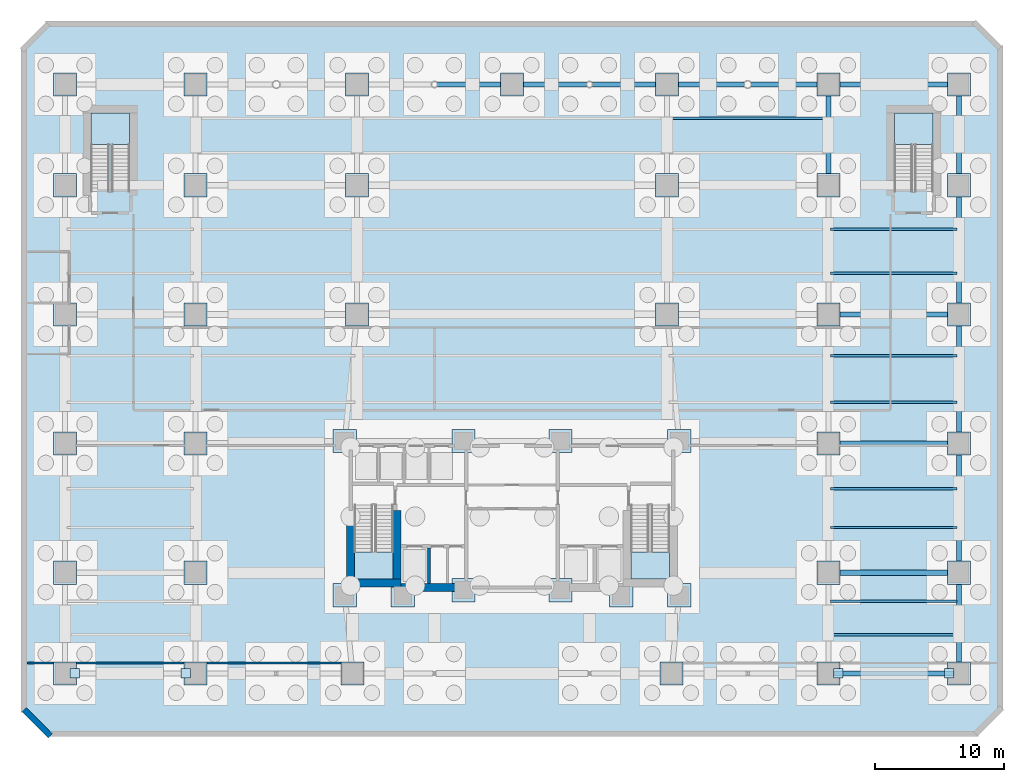
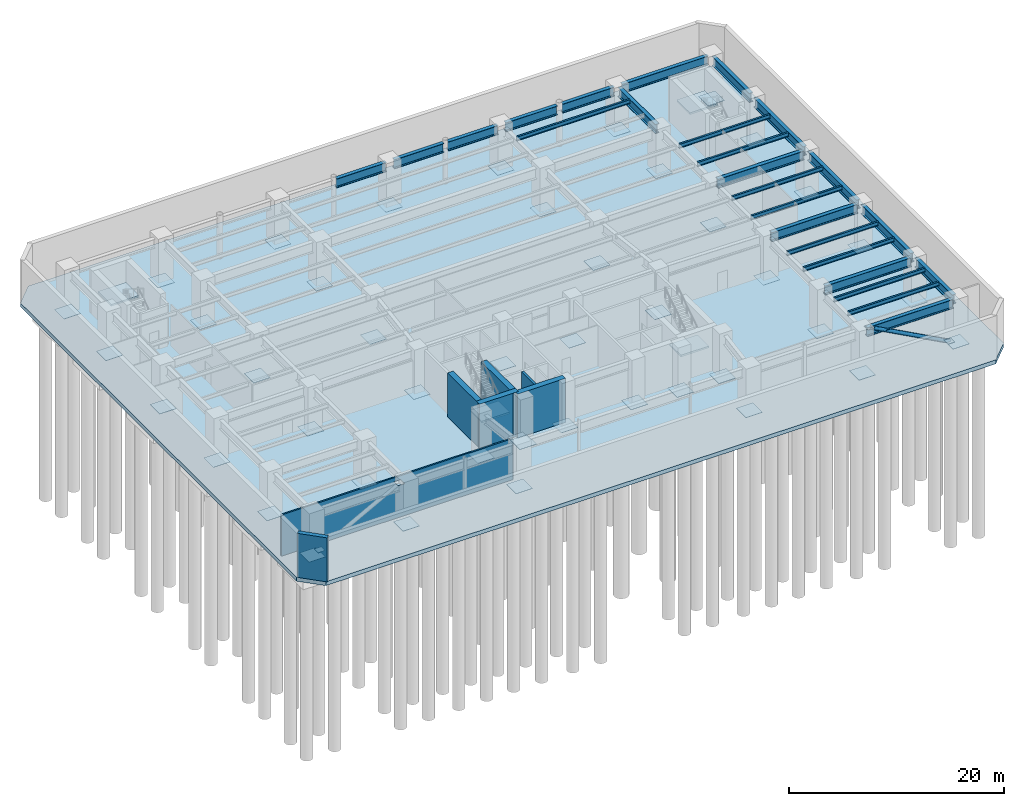
# One storey, part 7 of 15: 47 plates, 25 beams, 7 walls, 5 slabs, 1 member, 4 elements without a shape of their own.
"""IFC4 building model written with IfcOpenShell, lengths in metres."""

from ifc_helpers import new_model, si_unit, direction, frame, frame_2d, origin, origin_2d, place, context, subcontext, project, spatial, polyline, rectangle, hollow_circle, i_section, outline, extrude, material, layer, layer_set, material_profile, profile_set, type_object, element, aggregate, save


model = new_model("IFC4")

# Units and contexts
model_context = context("Model", 3, precision=1e-05, world=origin(), true_north=direction((0.0, 1.0)))
body_context = subcontext(model_context, "Body", "Model", "MODEL_VIEW")
ifc_project = project(units=[si_unit("LENGTHUNIT", "METRE"), si_unit("AREAUNIT", "SQUARE_METRE"), si_unit("VOLUMEUNIT", "CUBIC_METRE"), si_unit("PLANEANGLEUNIT", "RADIAN"), si_unit("MASSUNIT", "GRAM", prefix="KILO")], contexts=[model_context])

# Site, building, storey
site_placement = place(None, origin())
site = spatial("IfcSite", under=ifc_project, at=site_placement, CompositionType="ELEMENT")
building_placement = place(site_placement, origin())
building = spatial("IfcBuilding", under=site, at=building_placement, Name="Quenlor Broadcast Tower", CompositionType="ELEMENT")
storey_placement = place(building_placement, frame((0.0, 0.0, -10.0)))
storey = spatial("IfcBuildingStorey", under=building, at=storey_placement, Name="B02", CompositionType="ELEMENT", Elevation=-10.0)

# Member
ifc_material_1 = material(Name="Steel S355", Category="steel")
ifc_material_profile_1 = material_profile(ifc_material_1, hollow_circle(Radius=0.203125, WallThickness=0.01611328125, at=origin_2d()))
ifc_profile_set_1 = profile_set([ifc_material_profile_1], Name="Steel S355 CHS406x16")
member_type = type_object("IfcMemberType", Name="Basement Lateral Brace Steel S355 CHS406", PredefinedType="BRACE", material=ifc_profile_set_1)
member_placement = place(storey_placement, frame((33.840087890625, -22.800048828125, -0.10009765625), z_axis=(-0.880467882066, 0.0, 0.474105799005), x_axis=(0.0, -1.0, 0.0)))
element("IfcMember", 1, at=member_placement, inside=storey, type_object=member_type, Name="B02 Basement Lateral Brace PM6", PredefinedType="BRACE", context=body_context, shape_type="SweptSolid", body=[
    extrude(hollow_circle(Radius=0.203125, WallThickness=0.01611328125, at=origin_2d()), origin(), (0.0, 0.0, 1.0), 9.744873046875),
])

# Beams
ifc_material_2 = material(Name="Steel S355", Category="steel")
ifc_material_profile_2 = material_profile(ifc_material_2, i_section(OverallWidth=0.39990234375, OverallDepth=1.02392578125, WebThickness=0.01611328125, FlangeThickness=0.031982421875, FilletRadius=0.01611328125, at=origin_2d()))
ifc_profile_set_2 = profile_set([ifc_material_profile_2], Name="Steel S355 1000WB322")
beam_type_1 = type_object("IfcBeamType", Name="Podium Concourse Girder Steel S355 1000WB322", PredefinedType="BEAM", material=ifc_profile_set_2)
for number, where, z_axis, x_axis, name in (
    (2, (24.919921875, -22.800048828125, 4.16796875), (1.0, 0.0, 0.0), (0.0, 1.0, 0.0), "B02 Podium Girder 9"),
    (3, (24.919921875, -15.0, 4.16796875), (1.0, 0.0, 0.0), (0.0, 1.0, 0.0), "B02 Podium Girder 11"),
    (4, (24.919921875, -5.0, 4.16796875), (1.0, 0.0, 0.0), (0.0, 1.0, 0.0), "B02 Podium Girder 13"),
    (5, (24.919921875, 5.0, 4.16796875), (1.0, 0.0, 0.0), (0.0, 1.0, 0.0), "B02 Podium Girder 18"),
):
    element("IfcBeam", number, at=place(storey_placement, frame(where, z_axis=z_axis, x_axis=x_axis)), inside=storey, type_object=beam_type_1, Name=name, PredefinedType="BEAM", context=body_context, shape_type="SweptSolid", body=[
        extrude(i_section(OverallWidth=0.39990234375, OverallDepth=1.02392578125, WebThickness=0.01611328125, FlangeThickness=0.031982421875, FilletRadius=0.01611328125, at=origin_2d()), origin(), (0.0, 0.0, 1.0), 9.260009765625),
    ])
for number, where, z_axis, x_axis, name in (
    (6, (-5.76611328125, 22.800048828125, 4.16796875), (1.0, 0.0, 0.0), (0.0, 1.0, 0.0), "B02 Podium Girder 28"),
    (7, (0.419921875, 22.800048828125, 4.16796875), (1.0, 0.0, 0.0), (0.0, 1.0, 0.0), "B02 Podium Girder 29"),
    (8, (6.23388671875, 22.800048828125, 4.16796875), (1.0, 0.0, 0.0), (0.0, 1.0, 0.0), "B02 Podium Girder 30"),
):
    element("IfcBeam", number, at=place(storey_placement, frame(where, z_axis=z_axis, x_axis=x_axis)), inside=storey, type_object=beam_type_1, Name=name, PredefinedType="BEAM", context=body_context, shape_type="SweptSolid", body=[
        extrude(i_section(OverallWidth=0.39990234375, OverallDepth=1.02392578125, WebThickness=0.01611328125, FlangeThickness=0.031982421875, FilletRadius=0.01611328125, at=origin_2d()), origin(), (0.0, 0.0, 1.0), 5.34619140625),
    ])
for number, where, z_axis, x_axis, name in (
    (9, (12.419921875, 22.800048828125, 4.16796875), (1.0, 0.0, 0.0), (0.0, 1.0, 0.0), "B02 Podium Girder 31"),
    (10, (18.534912109375, 22.800048828125, 4.16796875), (1.0, 0.0, 0.0), (0.0, 1.0, 0.0), "B02 Podium Girder 32"),
):
    element("IfcBeam", number, at=place(storey_placement, frame(where, z_axis=z_axis, x_axis=x_axis)), inside=storey, type_object=beam_type_1, Name=name, PredefinedType="BEAM", context=body_context, shape_type="SweptSolid", body=[
        extrude(i_section(OverallWidth=0.39990234375, OverallDepth=1.02392578125, WebThickness=0.01611328125, FlangeThickness=0.031982421875, FilletRadius=0.01611328125, at=origin_2d()), origin(), (0.0, 0.0, 1.0), 5.545166015625),
    ])
beam_1_placement = place(storey_placement, frame((24.919921875, 22.800048828125, 4.16796875), z_axis=(1.0, 0.0, 0.0), x_axis=(0.0, 1.0, 0.0)))
element("IfcBeam", 11, at=beam_1_placement, inside=storey, type_object=beam_type_1, Name="B02 Podium Girder 33", PredefinedType="BEAM", context=body_context, shape_type="SweptSolid", body=[
    extrude(i_section(OverallWidth=0.39990234375, OverallDepth=1.02392578125, WebThickness=0.01611328125, FlangeThickness=0.031982421875, FilletRadius=0.01611328125, at=origin_2d()), origin(), (0.0, 0.0, 1.0), 9.260009765625),
])
for number, where, z_axis, x_axis, name in (
    (12, (24.5, 15.419921875, 4.16796875), (0.0, 1.0, 0.0), (-1.0, 0.0, 0.0), "B02 Podium Girder 48"),
    (13, (34.60009765625, -22.3798828125, 4.16796875), (0.0, 1.0, 0.0), (-1.0, 0.0, 0.0), "B02 Podium Girder 49"),
):
    element("IfcBeam", number, at=place(storey_placement, frame(where, z_axis=z_axis, x_axis=x_axis)), inside=storey, type_object=beam_type_1, Name=name, PredefinedType="BEAM", context=body_context, shape_type="SweptSolid", body=[
        extrude(i_section(OverallWidth=0.39990234375, OverallDepth=1.02392578125, WebThickness=0.01611328125, FlangeThickness=0.031982421875, FilletRadius=0.01611328125, at=origin_2d()), origin(), (0.0, 0.0, 1.0), 6.9599609375),
    ])
for number, where, z_axis, x_axis, name in (
    (14, (34.60009765625, -14.580078125, 4.16796875), (0.0, 1.0, 0.0), (-1.0, 0.0, 0.0), "B02 Podium Girder 50"),
    (15, (34.60009765625, -4.580078125, 4.16796875), (0.0, 1.0, 0.0), (-1.0, 0.0, 0.0), "B02 Podium Girder 51"),
    (16, (34.60009765625, 5.419921875, 4.16796875), (0.0, 1.0, 0.0), (-1.0, 0.0, 0.0), "B02 Podium Girder 52"),
):
    element("IfcBeam", number, at=place(storey_placement, frame(where, z_axis=z_axis, x_axis=x_axis)), inside=storey, type_object=beam_type_1, Name=name, PredefinedType="BEAM", context=body_context, shape_type="SweptSolid", body=[
        extrude(i_section(OverallWidth=0.39990234375, OverallDepth=1.02392578125, WebThickness=0.01611328125, FlangeThickness=0.031982421875, FilletRadius=0.01611328125, at=origin_2d()), origin(), (0.0, 0.0, 1.0), 9.16015625),
    ])
beam_2_placement = place(storey_placement, frame((34.60009765625, 15.419921875, 4.16796875), z_axis=(0.0, 1.0, 0.0), x_axis=(-1.0, 0.0, 0.0)))
element("IfcBeam", 17, at=beam_2_placement, inside=storey, type_object=beam_type_1, Name="B02 Podium Girder 53", PredefinedType="BEAM", context=body_context, shape_type="SweptSolid", body=[
    extrude(i_section(OverallWidth=0.39990234375, OverallDepth=1.02392578125, WebThickness=0.01611328125, FlangeThickness=0.031982421875, FilletRadius=0.01611328125, at=origin_2d()), origin(), (0.0, 0.0, 1.0), 6.9599609375),
])
ifc_material_3 = material(Name="Steel S355", Category="steel")
ifc_material_profile_3 = material_profile(ifc_material_3, i_section(OverallWidth=0.18994140625, OverallDepth=0.453857421875, WebThickness=0.008544921875, FlangeThickness=0.0126953125, FilletRadius=0.011474609375, at=origin_2d()))
ifc_profile_set_3 = profile_set([ifc_material_profile_3], Name="Steel S355 460UB67.1")
beam_type_2 = type_object("IfcBeamType", Name="Podium Floor Joist Steel S355 460UB67.1", PredefinedType="JOIST", material=ifc_profile_set_3)
for number, where, z_axis, x_axis, name in (
    (18, (24.659912109375, 8.199951171875, 4.453125), (1.0, 0.0, 0.0), (0.0, 1.0, 0.0), "B02 Podium Floor Joist 5"),
    (19, (24.659912109375, 11.60009765625, 4.453125), (1.0, 0.0, 0.0), (0.0, 1.0, 0.0), "B02 Podium Floor Joist 10"),
):
    element("IfcBeam", number, at=place(storey_placement, frame(where, z_axis=z_axis, x_axis=x_axis)), inside=storey, type_object=beam_type_2, Name=name, PredefinedType="JOIST", context=body_context, shape_type="SweptSolid", body=[
        extrude(i_section(OverallWidth=0.18994140625, OverallDepth=0.453857421875, WebThickness=0.008544921875, FlangeThickness=0.0126953125, FilletRadius=0.011474609375, at=origin_2d()), origin(), (0.0, 0.0, 1.0), 9.780029296875),
    ])
beam_3_placement = place(storey_placement, frame((12.159912109375, 20.199951171875, 4.453125), z_axis=(1.0, 0.0, 0.0), x_axis=(0.0, 1.0, 0.0)))
element("IfcBeam", 20, at=beam_3_placement, inside=storey, type_object=beam_type_2, Name="B02 Podium Floor Joist 19", PredefinedType="JOIST", context=body_context, shape_type="SweptSolid", body=[
    extrude(i_section(OverallWidth=0.18994140625, OverallDepth=0.453857421875, WebThickness=0.008544921875, FlangeThickness=0.0126953125, FilletRadius=0.011474609375, at=origin_2d()), origin(), (0.0, 0.0, 1.0), 12.18017578125),
])
for number, where, z_axis, x_axis, name in (
    (21, (24.659912109375, -19.800048828125, 4.453125), (1.0, 0.0, 0.0), (0.0, 1.0, 0.0), "B02 Podium Floor Joist 22"),
    (22, (24.659912109375, -17.199951171875, 4.453125), (1.0, 0.0, 0.0), (0.0, 1.0, 0.0), "B02 Podium Floor Joist 24"),
    (23, (24.659912109375, -11.5, 4.453125), (1.0, 0.0, 0.0), (0.0, 1.0, 0.0), "B02 Podium Floor Joist 26"),
    (24, (24.659912109375, -8.5, 4.453125), (1.0, 0.0, 0.0), (0.0, 1.0, 0.0), "B02 Podium Floor Joist 28"),
    (25, (24.659912109375, -1.800048828125, 4.453125), (1.0, 0.0, 0.0), (0.0, 1.0, 0.0), "B02 Podium Floor Joist 30"),
    (26, (24.659912109375, 1.800048828125, 4.453125), (1.0, 0.0, 0.0), (0.0, 1.0, 0.0), "B02 Podium Floor Joist 32"),
):
    element("IfcBeam", number, at=place(storey_placement, frame(where, z_axis=z_axis, x_axis=x_axis)), inside=storey, type_object=beam_type_2, Name=name, PredefinedType="JOIST", context=body_context, shape_type="SweptSolid", body=[
        extrude(i_section(OverallWidth=0.18994140625, OverallDepth=0.453857421875, WebThickness=0.008544921875, FlangeThickness=0.0126953125, FilletRadius=0.011474609375, at=origin_2d()), origin(), (0.0, 0.0, 1.0), 9.780029296875),
    ])

# Slab
ifc_material_4 = material(Name="Concrete C50/60", Category="concrete")
ifc_layer_1 = layer(ifc_material_4, 0.449951171875)
ifc_layer_set_1 = layer_set([ifc_layer_1], Name="Basement Concrete C50/60 Base Slab 450")
slab_type_1 = type_object("IfcSlabType", Name="Basement Concrete C50/60 Base Slab 450", PredefinedType="BASESLAB", material=ifc_layer_set_1)
slab_1_placement = place(storey_placement, frame((0.0, 0.0, -0.449951171875)))
element("IfcSlab", 27, at=slab_1_placement, inside=storey, type_object=slab_type_1, Name="Basement Base Slab B02", PredefinedType="BASESLAB", context=body_context, shape_type="SweptSolid", body=[
    extrude(outline(polyline([(-36.0, -27.699951171875), (36.0, -27.699951171875), (38.0, -25.699951171875), (38.0, 25.699951171875), (36.0, 27.699951171875), (-36.0, 27.699951171875), (-38.0, 25.699951171875), (-38.0, -25.699951171875), (-36.0, -27.699951171875)])), origin(), (0.0, 0.0, 1.0), 0.449951171875),
])

# Plates
ifc_material_5 = material(Name="Steel S355", Category="steel")
ifc_layer_2 = layer(ifc_material_5, 0.0400390625)
ifc_layer_set_2 = layer_set([ifc_layer_2], Name="Mega Column Steel S355 Base Plate 1800x1800x40")
plate_type_1 = type_object("IfcPlateType", Name="Mega Column Steel S355 Base Plate 1800x1800x40", PredefinedType="SHEET", material=ifc_layer_set_2)
for number, where, z_axis, x_axis, name in (
    (28, (-12.949951171875, -16.75, -0.449951171875), (0.0, 0.0, 1.0), (1.0, 0.0, 0.0), "Core Column Base Plate CC1"),
    (29, (-8.449951171875, -16.75, -0.449951171875), (0.0, 0.0, 1.0), (1.0, 0.0, 0.0), "Core Column Base Plate CC2"),
    (30, (-3.75, -16.35009765625, -0.449951171875), (0.0, 0.0, 1.0), (1.0, 0.0, 0.0), "Core Column Base Plate CC3"),
    (31, (3.75, -16.35009765625, -0.449951171875), (0.0, 0.0, 1.0), (1.0, 0.0, 0.0), "Core Column Base Plate CC4"),
    (32, (8.449951171875, -16.75, -0.449951171875), (0.0, 0.0, 1.0), (1.0, 0.0, 0.0), "Core Column Base Plate CC5"),
    (33, (12.949951171875, -16.75, -0.449951171875), (0.0, 0.0, 1.0), (1.0, 0.0, 0.0), "Core Column Base Plate CC6"),
    (34, (-12.949951171875, -4.800048828125, -0.449951171875), (0.0, 0.0, 1.0), (1.0, 0.0, 0.0), "Core Column Base Plate CC7"),
    (35, (-3.75, -4.800048828125, -0.449951171875), (0.0, 0.0, 1.0), (1.0, 0.0, 0.0), "Core Column Base Plate CC8"),
    (36, (3.75, -4.800048828125, -0.449951171875), (0.0, 0.0, 1.0), (1.0, 0.0, 0.0), "Core Column Base Plate CC9"),
    (37, (12.949951171875, -4.800048828125, -0.449951171875), (0.0, 0.0, 1.0), (1.0, 0.0, 0.0), "Core Column Base Plate CC10"),
    (38, (-34.60009765625, -22.800048828125, -0.449951171875), (0.0, 0.0, 1.0), (1.0, 0.0, 0.0), "Mega Column Base Plate PM1"),
    (39, (-24.5, -22.800048828125, -0.449951171875), (0.0, 0.0, 1.0), (1.0, 0.0, 0.0), "Mega Column Base Plate PM2"),
    (40, (-12.35009765625, -22.800048828125, -0.449951171875), (0.0, 0.0, 1.0), (1.0, 0.0, 0.0), "Mega Column Base Plate PM3"),
    (41, (12.35009765625, -22.800048828125, -0.449951171875), (0.0, 0.0, 1.0), (1.0, 0.0, 0.0), "Mega Column Base Plate PM4"),
    (42, (24.5, -22.800048828125, -0.449951171875), (0.0, 0.0, 1.0), (1.0, 0.0, 0.0), "Mega Column Base Plate PM5"),
    (43, (34.60009765625, -22.800048828125, -0.449951171875), (0.0, 0.0, 1.0), (1.0, 0.0, 0.0), "Mega Column Base Plate PM6"),
    (44, (-34.60009765625, -15.0, -0.449951171875), (0.0, 0.0, 1.0), (1.0, 0.0, 0.0), "Mega Column Base Plate PM7"),
    (45, (-24.5, -15.0, -0.449951171875), (0.0, 0.0, 1.0), (1.0, 0.0, 0.0), "Mega Column Base Plate PM8"),
    (46, (24.5, -15.0, -0.449951171875), (0.0, 0.0, 1.0), (1.0, 0.0, 0.0), "Mega Column Base Plate PM9"),
    (47, (34.60009765625, -15.0, -0.449951171875), (0.0, 0.0, 1.0), (1.0, 0.0, 0.0), "Mega Column Base Plate PM10"),
    (48, (-34.60009765625, -5.0, -0.449951171875), (0.0, 0.0, 1.0), (1.0, 0.0, 0.0), "Mega Column Base Plate PM11"),
    (49, (-24.5, -5.0, -0.449951171875), (0.0, 0.0, 1.0), (1.0, 0.0, 0.0), "Mega Column Base Plate PM12"),
    (50, (24.5, -5.0, -0.449951171875), (0.0, 0.0, 1.0), (1.0, 0.0, 0.0), "Mega Column Base Plate PM13"),
    (51, (34.60009765625, -5.0, -0.449951171875), (0.0, 0.0, 1.0), (1.0, 0.0, 0.0), "Mega Column Base Plate PM14"),
    (52, (-34.60009765625, 5.0, -0.449951171875), (0.0, 0.0, 1.0), (1.0, 0.0, 0.0), "Mega Column Base Plate PM15"),
    (53, (-24.5, 5.0, -0.449951171875), (0.0, 0.0, 1.0), (1.0, 0.0, 0.0), "Mega Column Base Plate PM16"),
    (54, (-12.0, 5.0, -0.449951171875), (0.0, 0.0, 1.0), (1.0, 0.0, 0.0), "Mega Column Base Plate PM17"),
    (55, (12.0, 5.0, -0.449951171875), (0.0, 0.0, 1.0), (1.0, 0.0, 0.0), "Mega Column Base Plate PM18"),
    (56, (24.5, 5.0, -0.449951171875), (0.0, 0.0, 1.0), (1.0, 0.0, 0.0), "Mega Column Base Plate PM19"),
    (57, (34.60009765625, 5.0, -0.449951171875), (0.0, 0.0, 1.0), (1.0, 0.0, 0.0), "Mega Column Base Plate PM20"),
    (58, (-34.60009765625, 15.0, -0.449951171875), (0.0, 0.0, 1.0), (1.0, 0.0, 0.0), "Mega Column Base Plate PM21"),
    (59, (-24.5, 15.0, -0.449951171875), (0.0, 0.0, 1.0), (1.0, 0.0, 0.0), "Mega Column Base Plate PM22"),
    (60, (-12.0, 15.0, -0.449951171875), (0.0, 0.0, 1.0), (1.0, 0.0, 0.0), "Mega Column Base Plate PM23"),
    (61, (12.0, 15.0, -0.449951171875), (0.0, 0.0, 1.0), (1.0, 0.0, 0.0), "Mega Column Base Plate PM24"),
    (62, (24.5, 15.0, -0.449951171875), (0.0, 0.0, 1.0), (1.0, 0.0, 0.0), "Mega Column Base Plate PM25"),
    (63, (34.60009765625, 15.0, -0.449951171875), (0.0, 0.0, 1.0), (1.0, 0.0, 0.0), "Mega Column Base Plate PM26"),
    (64, (-34.60009765625, 22.800048828125, -0.449951171875), (0.0, 0.0, 1.0), (1.0, 0.0, 0.0), "Mega Column Base Plate PM27"),
    (65, (-24.5, 22.800048828125, -0.449951171875), (0.0, 0.0, 1.0), (1.0, 0.0, 0.0), "Mega Column Base Plate PM28"),
    (66, (-12.0, 22.800048828125, -0.449951171875), (0.0, 0.0, 1.0), (1.0, 0.0, 0.0), "Mega Column Base Plate PM29"),
    (67, (0.0, 22.800048828125, -0.449951171875), (0.0, 0.0, 1.0), (1.0, 0.0, 0.0), "Mega Column Base Plate PM30"),
    (68, (12.0, 22.800048828125, -0.449951171875), (0.0, 0.0, 1.0), (1.0, 0.0, 0.0), "Mega Column Base Plate PM31"),
    (69, (24.5, 22.800048828125, -0.449951171875), (0.0, 0.0, 1.0), (1.0, 0.0, 0.0), "Mega Column Base Plate PM32"),
    (70, (34.60009765625, 22.800048828125, -0.449951171875), (0.0, 0.0, 1.0), (1.0, 0.0, 0.0), "Mega Column Base Plate PM33"),
):
    element("IfcPlate", number, at=place(storey_placement, frame(where, z_axis=z_axis, x_axis=x_axis)), inside=storey, type_object=plate_type_1, Name=name, PredefinedType="SHEET", context=body_context, shape_type="SweptSolid", body=[
        extrude(rectangle(XDim=1.800048828125, YDim=1.800048828125, at=origin_2d()), origin(), (0.0, 0.0, 1.0), 0.0400390625),
    ])
ifc_material_6 = material(Name="Steel S355", Category="steel")
ifc_layer_3 = layer(ifc_material_6, 0.028076171875)
ifc_layer_set_3 = layer_set([ifc_layer_3], Name="Perimeter Lattice Node Steel S355 Cap Plate 740x740x28")
plate_type_2 = type_object("IfcPlateType", Name="Perimeter Lattice Node Steel S355 Cap Plate 740x740x28", PredefinedType="USERDEFINED", material=ifc_layer_set_3)
for number, where, z_axis, x_axis, name in (
    (71, (-33.840087890625, -22.800048828125, -0.1142578125), (0.0, 0.0, 1.0), (1.0, 0.0, 0.0), "B02 Basement Brace End Plate PM1-1"),
    (72, (-25.260009765625, -22.800048828125, 4.505859375), (0.0, 0.0, 1.0), (1.0, 0.0, 0.0), "B02 Basement Brace End Plate PM1-2"),
    (73, (33.840087890625, -22.800048828125, -0.1142578125), (0.0, 0.0, 1.0), (1.0, 0.0, 0.0), "B02 Basement Brace End Plate PM6-1"),
    (74, (25.260009765625, -22.800048828125, 4.505859375), (0.0, 0.0, 1.0), (1.0, 0.0, 0.0), "B02 Basement Brace End Plate PM6-2"),
):
    element("IfcPlate", number, at=place(storey_placement, frame(where, z_axis=z_axis, x_axis=x_axis)), inside=storey, type_object=plate_type_2, Name=name, ObjectType="CAP PLATE", PredefinedType="USERDEFINED", context=body_context, shape_type="SweptSolid", body=[
        extrude(rectangle(XDim=0.739990234375, YDim=0.739990234375, at=origin_2d()), origin(), (0.0, 0.0, 1.0), 0.028076171875),
    ])

# Stair, slab
ifc_material_7 = material(Name="Precast concrete C40/50", Category="concrete")
stair_type = type_object("IfcStairType", Name="Precast Concrete C40/50 Dogleg Stair H500", PredefinedType="HALF_TURN_STAIR", material=ifc_material_7)
stair_1_placement = place(storey_placement, origin())
stair_1 = element("IfcStair", 75, at=stair_1_placement, inside=storey, type_object=stair_type, Name="B02 West Core Fire-Isolated Exit Stair ST-1", PredefinedType="HALF_TURN_STAIR")
ifc_material_8 = material(Name="Precast concrete C40/50", Category="concrete")
ifc_layer_4 = layer(ifc_material_8, 0.199951171875)
ifc_layer_set_4 = layer_set([ifc_layer_4], Name="Precast Concrete C40/50 Stair Landing Slab 200")
slab_type_2 = type_object("IfcSlabType", Name="Precast Concrete C40/50 Stair Landing Slab 200", PredefinedType="LANDING", material=ifc_layer_set_4)
slab_2_placement = place(storey_placement, frame((0.0, 0.0, 2.300048828125)))
slab_2 = element("IfcSlab", 76, at=slab_2_placement, type_object=slab_type_2, Name="ST-1 landing 1", PredefinedType="LANDING", context=body_context, shape_type="SweptSolid", body=[
    extrude(outline(polyline([(-12.199951171875, -13.389892578125), (-12.199951171875, -15.5), (-9.199951171875, -15.5), (-9.199951171875, -13.389892578125), (-12.199951171875, -13.389892578125)])), origin(), (0.0, 0.0, 1.0), 0.199951171875),
])
aggregate(stair_1, [slab_2])

stair_2_placement = place(storey_placement, origin())
stair_2 = element("IfcStair", 77, at=stair_2_placement, inside=storey, type_object=stair_type, Name="B02 East Core Fire-Isolated Exit Stair ST-2", PredefinedType="HALF_TURN_STAIR")
slab_3_placement = place(storey_placement, frame((0.0, 0.0, 2.300048828125)))
slab_3 = element("IfcSlab", 78, at=slab_3_placement, type_object=slab_type_2, Name="ST-2 landing 1", PredefinedType="LANDING", context=body_context, shape_type="SweptSolid", body=[
    extrude(outline(polyline([(9.199951171875, -13.389892578125), (9.199951171875, -15.5), (12.199951171875, -15.5), (12.199951171875, -13.389892578125), (9.199951171875, -13.389892578125)])), origin(), (0.0, 0.0, 1.0), 0.199951171875),
])
aggregate(stair_2, [slab_3])

stair_3_placement = place(storey_placement, origin())
stair_3 = element("IfcStair", 79, at=stair_3_placement, inside=storey, type_object=stair_type, Name="B02 Station Podium North-West Exit Stair ST-3", PredefinedType="HALF_TURN_STAIR")
slab_4_placement = place(storey_placement, frame((0.0, 0.0, 2.300048828125)))
slab_4 = element("IfcSlab", 80, at=slab_4_placement, type_object=slab_type_2, Name="ST-3 landing 1", PredefinedType="LANDING", context=body_context, shape_type="SweptSolid", body=[
    extrude(outline(polyline([(-29.60009765625, 18.139892578125), (-29.60009765625, 20.60009765625), (-32.60009765625, 20.60009765625), (-32.60009765625, 18.139892578125), (-29.60009765625, 18.139892578125)])), origin(), (0.0, 0.0, 1.0), 0.199951171875),
])
aggregate(stair_3, [slab_4])

stair_4_placement = place(storey_placement, origin())
stair_4 = element("IfcStair", 81, at=stair_4_placement, inside=storey, type_object=stair_type, Name="B02 Station Podium North-East Exit Stair ST-4", PredefinedType="HALF_TURN_STAIR")
slab_5_placement = place(storey_placement, frame((0.0, 0.0, 2.300048828125)))
slab_5 = element("IfcSlab", 82, at=slab_5_placement, type_object=slab_type_2, Name="ST-4 landing 1", PredefinedType="LANDING", context=body_context, shape_type="SweptSolid", body=[
    extrude(outline(polyline([(32.60009765625, 18.139892578125), (32.60009765625, 20.60009765625), (29.60009765625, 20.60009765625), (29.60009765625, 18.139892578125), (32.60009765625, 18.139892578125)])), origin(), (0.0, 0.0, 1.0), 0.199951171875),
])
aggregate(stair_4, [slab_5])

# Walls
ifc_material_9 = material(Name="Concrete C50/60", Category="concrete")
ifc_layer_5 = layer(ifc_material_9, 0.449951171875)
ifc_layer_set_5 = layer_set([ifc_layer_5], Name="Basement Concrete C50/60 Retaining Wall 450")
wall_type_1 = type_object("IfcWallType", Name="Basement Concrete C50/60 Retaining Wall 450", PredefinedType="USERDEFINED", material=ifc_layer_set_5)
wall_1_placement = place(storey_placement, frame((-35.747802734375, -27.634033203125, 0.0), z_axis=(0.0, 0.0, 1.0), x_axis=(-0.707064201066, 0.707149358744, 0.0)))
element("IfcWall", 83, at=wall_1_placement, inside=storey, type_object=wall_type_1, Name="B02 Perimeter Retaining Wall 1", ObjectType="RETAININGWALL", PredefinedType="USERDEFINED", context=body_context, shape_type="SweptSolid", body=[
    extrude(rectangle(XDim=2.866943359375, YDim=0.449951171875, at=frame_2d((1.43359375, 0.0))), origin(), (0.0, 0.0, 1.0), 5.0),
])
ifc_material_10 = material(Name="Concrete C65/80", Category="concrete")
ifc_layer_6 = layer(ifc_material_10, 0.60009765625)
ifc_layer_set_6 = layer_set([ifc_layer_6], Name="Core Concrete C65/80 Shear Wall 600")
wall_type_2 = type_object("IfcWallType", Name="Core Concrete C65/80 Shear Wall 600", PredefinedType="SHEAR", material=ifc_layer_set_6)
wall_2_placement = place(storey_placement, frame((-12.800048828125, -15.800048828125, 0.0), z_axis=(0.0, 0.0, 1.0), x_axis=(1.0, 0.0, 0.0)))
element("IfcWall", 84, at=wall_2_placement, inside=storey, type_object=wall_type_2, Name="B02 Core Shear Wall WS-W1", PredefinedType="SHEAR", context=body_context, shape_type="SweptSolid", body=[
    extrude(rectangle(XDim=4.199951171875, YDim=0.60009765625, at=frame_2d((2.10009765625, 0.0))), origin(), (0.0, 0.0, 1.0), 5.0),
])
wall_3_placement = place(storey_placement, frame((-8.89990234375, -16.14990234375, 0.0), z_axis=(0.0, 0.0, 1.0), x_axis=(1.0, 0.0, 0.0)))
element("IfcWall", 85, at=wall_3_placement, inside=storey, type_object=wall_type_2, Name="B02 Core Shear Wall WS-W2", PredefinedType="SHEAR", context=body_context, shape_type="SweptSolid", body=[
    extrude(rectangle(XDim=5.14990234375, YDim=0.60009765625, at=frame_2d((2.574951171875, 0.0))), origin(), (0.0, 0.0, 1.0), 5.0),
])
wall_4_placement = place(storey_placement, frame((-12.5, -15.800048828125, 0.0), z_axis=(0.0, 0.0, 1.0), x_axis=(0.0, 1.0, 0.0)))
element("IfcWall", 86, at=wall_4_placement, inside=storey, type_object=wall_type_2, Name="B02 Core Shear Wall WF-W", PredefinedType="SHEAR", context=body_context, shape_type="SweptSolid", body=[
    extrude(rectangle(XDim=5.60009765625, YDim=0.60009765625, at=frame_2d((2.800048828125, 0.0))), origin(), (0.0, 0.0, 1.0), 5.0),
])
wall_5_placement = place(storey_placement, frame((-8.89990234375, -16.14990234375, 0.0), z_axis=(0.0, 0.0, 1.0), x_axis=(0.0, 1.0, 0.0)))
element("IfcWall", 87, at=wall_5_placement, inside=storey, type_object=wall_type_2, Name="B02 Core Shear Wall WI-W", PredefinedType="SHEAR", context=body_context, shape_type="SweptSolid", body=[
    extrude(rectangle(XDim=5.949951171875, YDim=0.60009765625, at=frame_2d((2.97509765625, 0.0))), origin(), (0.0, 0.0, 1.0), 5.0),
])
ifc_material_11 = material(Name="Concrete C40/50", Category="concrete")
ifc_layer_7 = layer(ifc_material_11, 0.25)
ifc_layer_set_7 = layer_set([ifc_layer_7], Name="Fire Rated Concrete C40/50 Core Wall 250")
wall_type_3 = type_object("IfcWallType", Name="Fire Rated Concrete C40/50 Core Wall 250", PredefinedType="PARTITIONING", material=ifc_layer_set_7)
wall_6_placement = place(storey_placement, frame((-6.419921875, -15.847900390625, 0.0), z_axis=(0.0, 0.0, 1.0), x_axis=(0.0, 1.0, 0.0)))
element("IfcWall", 88, at=wall_6_placement, inside=storey, type_object=wall_type_3, Name="B02 Interior Wall CW-FF1-E", PredefinedType="PARTITIONING", context=body_context, shape_type="SweptSolid", body=[
    extrude(rectangle(XDim=2.7578125, YDim=0.25, at=frame_2d((1.37890625, 0.0))), origin(), (0.0, 0.0, 1.0), 4.679931640625),
])
ifc_material_12 = material(Name="Gypsum Fireboard Partition", Category="other")
ifc_layer_8 = layer(ifc_material_12, 0.159912109375)
ifc_layer_set_8 = layer_set([ifc_layer_8], Name="Fire Rated Shaft and Corridor Partition 160")
wall_type_4 = type_object("IfcWallType", Name="Fire Rated Shaft and Corridor Partition 160", PredefinedType="PARTITIONING", material=ifc_layer_set_8)
wall_7_placement = place(storey_placement, frame((-37.5, -21.97998046875, 0.0), z_axis=(0.0, 0.0, 1.0), x_axis=(1.0, 0.0, 0.0)))
element("IfcWall", 89, at=wall_7_placement, inside=storey, type_object=wall_type_4, Name="B02 Interior Wall PW-BM-BSW", PredefinedType="PARTITIONING", context=body_context, shape_type="SweptSolid", body=[
    extrude(rectangle(XDim=24.85009765625, YDim=0.159912109375, at=frame_2d((12.425048828125, 0.0))), origin(), (0.0, 0.0, 1.0), 4.679931640625),
])

save(model, "model.ifc")
